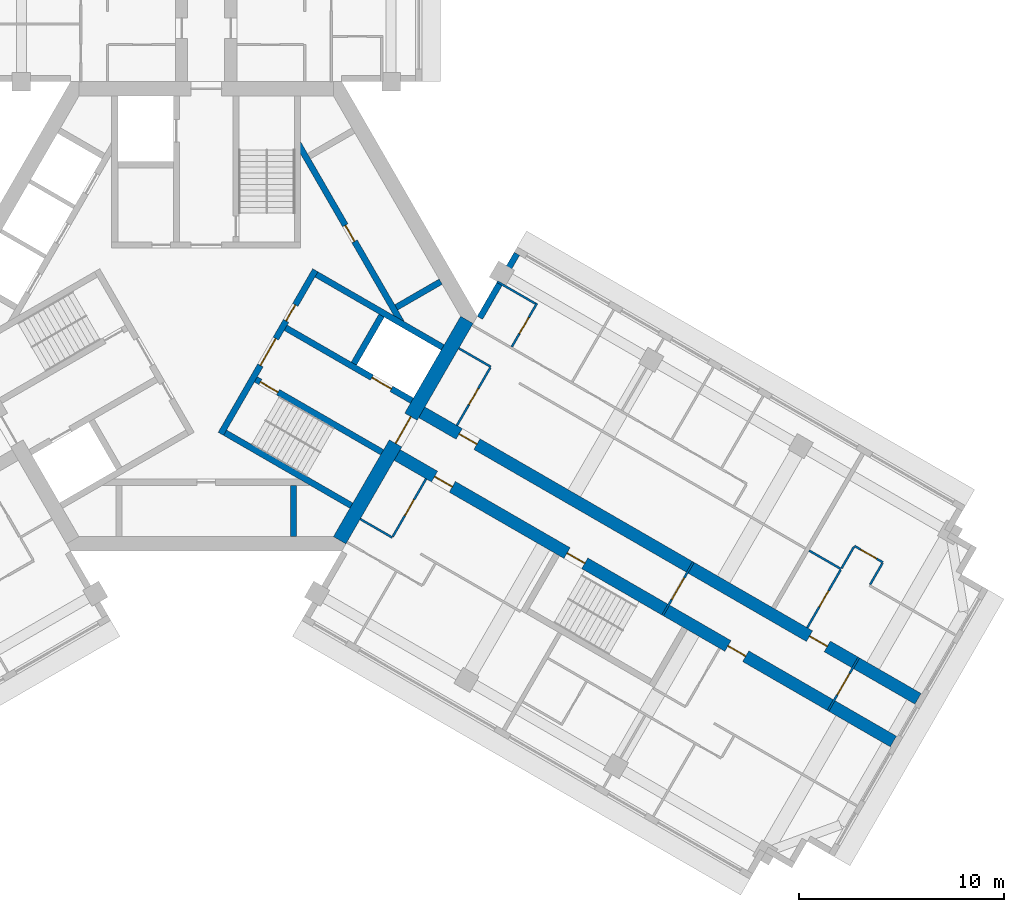
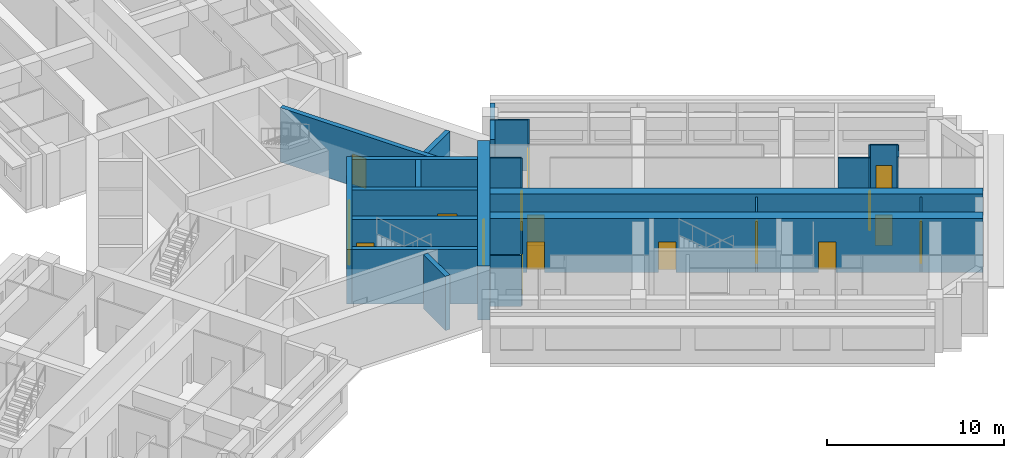
# One storey, part 5 of 10: 26 walls, 18 doors, 18 openings.
"""IFC4 building model written with IfcOpenShell, lengths in metres."""

from ifc_helpers import new_model, si_unit, direction, frame, frame_2d, origin, place, context, subcontext, project, spatial, rectangle, extrude, material, layer, layer_set, type_object, element, fill, save


model = new_model("IFC4")

# Units and contexts
model_context = context("Model", 3, precision=1e-05, world=origin(), true_north=direction((0.0, 1.0)))
body_context = subcontext(model_context, "Body", "Model", "MODEL_VIEW")
ifc_project = project(units=[si_unit("LENGTHUNIT", "METRE"), si_unit("AREAUNIT", "SQUARE_METRE"), si_unit("VOLUMEUNIT", "CUBIC_METRE"), si_unit("PLANEANGLEUNIT", "RADIAN"), si_unit("MASSUNIT", "GRAM", prefix="KILO")], contexts=[model_context])

# Site, building, storey
site_placement = place(None, origin())
site = spatial("IfcSite", under=ifc_project, at=site_placement, CompositionType="ELEMENT")
building_placement = place(site_placement, origin())
building = spatial("IfcBuilding", under=site, at=building_placement, Name="Impinga Residences", CompositionType="ELEMENT")
storey_placement = place(building_placement, frame((0.0, 0.0, 233.5)))
storey = spatial("IfcBuildingStorey", under=building, at=storey_placement, Name="L58", CompositionType="ELEMENT", Elevation=233.5)

# Wall, openings, doors
ifc_material_1 = material(Name="Concrete C60/75", Category="concrete")
ifc_layer_1 = layer(ifc_material_1, 0.60009765625)
ifc_layer_set_1 = layer_set([ifc_layer_1], Name="Concrete C60/75")
wall_type_1 = type_object("IfcWallType", Name="BW3 corridor buttress wall, L46 to L73 600", PredefinedType="SHEAR", material=ifc_layer_set_1)
wall_1_placement = place(storey_placement, frame((10.19677734375, -4.50146484375, 0.0), z_axis=(0.0, 0.0, 1.0), x_axis=(0.866026415941, -0.499998246889, 0.0)))
wall_1 = element("IfcWall", 1, at=wall_1_placement, inside=storey, type_object=wall_type_1, Name="Corridor wall BW3 EC L58", PredefinedType="SHEAR", context=body_context, shape_type="SweptSolid", body=[
    extrude(rectangle(XDim=28.25, YDim=0.60009765625, at=frame_2d((14.125, 0.0))), origin(), (0.0, 0.0, 1.0), 3.75),
])
opening_1_placement = place(wall_1_placement, frame((2.449951171875, 0.0, 0.0)))
opening_1 = element("IfcOpeningElement", 2, at=opening_1_placement, cuts=wall_1, Name="Opening D1", PredefinedType="OPENING", context=body_context, shape_type="SweptSolid", body=[
    extrude(rectangle(XDim=1.0, YDim=2.10009765625, at=frame_2d((0.5, 1.050048828125))), frame((0.0, 0.31005859375, 0.0), z_axis=(0.0, -1.0, 0.0), x_axis=(1.0, 0.0, 0.0)), (0.0, 0.0, 1.0), 0.6201171875),
])
opening_2_placement = place(wall_1_placement, frame((22.14990234375, 0.0, 0.0)))
opening_2 = element("IfcOpeningElement", 3, at=opening_2_placement, cuts=wall_1, Name="Opening D1", PredefinedType="OPENING", context=body_context, shape_type="SweptSolid", body=[
    extrude(rectangle(XDim=1.0, YDim=2.10009765625, at=frame_2d((0.5, 1.050048828125))), frame((0.0, 0.31005859375, 0.0), z_axis=(0.0, -1.0, 0.0), x_axis=(1.0, 0.0, 0.0)), (0.0, 0.0, 1.0), 0.6201171875),
])
ifc_material_2 = material(Name="Timber door set", Category="wood")
door_type_1 = type_object("IfcDoorType", Name="D1 apartment entrance door 1000x2100", OperationType="SINGLE_SWING_LEFT", PredefinedType="DOOR", material=ifc_material_2)
door_1_placement = place(opening_1_placement, origin())
door_1 = element("IfcDoor", 4, at=door_1_placement, inside=storey, type_object=door_type_1, Name="Apartment L58-EA1 entrance", OperationType="SINGLE_SWING_LEFT", OverallHeight=2.10009765625, OverallWidth=1.0, PredefinedType="DOOR", context=body_context, shape_type="SweptSolid", body=[
    extrude(rectangle(XDim=1.0, YDim=2.10009765625, at=frame_2d((0.5, 1.050048828125))), frame((0.0, 0.02490234375, 0.0), z_axis=(0.0, -1.0, 0.0), x_axis=(1.0, 0.0, 0.0)), (0.0, 0.0, 1.0), 0.050048828125),
])
fill(opening_1, door_1)
door_2_placement = place(opening_2_placement, origin())
door_2 = element("IfcDoor", 5, at=door_2_placement, inside=storey, type_object=door_type_1, Name="Apartment L58-EA2 entrance", OperationType="SINGLE_SWING_RIGHT", OverallHeight=2.10009765625, OverallWidth=1.0, PredefinedType="DOOR", context=body_context, shape_type="SweptSolid", body=[
    extrude(rectangle(XDim=1.0, YDim=2.10009765625, at=frame_2d((0.5, 1.050048828125))), frame((0.0, 0.02490234375, 0.0), z_axis=(0.0, -1.0, 0.0), x_axis=(1.0, 0.0, 0.0)), (0.0, 0.0, 1.0), 0.050048828125),
])
fill(opening_2, door_2)

wall_2_placement = place(storey_placement, frame((8.996826171875, -6.580078125, 0.0), z_axis=(0.0, 0.0, 1.0), x_axis=(0.866026415941, -0.499998246889, 0.0)))
wall_2 = element("IfcWall", 6, at=wall_2_placement, inside=storey, type_object=wall_type_1, Name="Corridor wall BW3 ED L58", PredefinedType="SHEAR", context=body_context, shape_type="SweptSolid", body=[
    extrude(rectangle(XDim=28.25, YDim=0.60009765625, at=frame_2d((14.125, 0.0))), origin(), (0.0, 0.0, 1.0), 3.75),
])
opening_3_placement = place(wall_2_placement, frame((9.89990234375, 0.0, 0.0)))
opening_3 = element("IfcOpeningElement", 7, at=opening_3_placement, cuts=wall_2, Name="Opening D5", PredefinedType="OPENING", context=body_context, shape_type="SweptSolid", body=[
    extrude(rectangle(XDim=1.0, YDim=2.10009765625, at=frame_2d((0.5, 1.050048828125))), frame((0.0, 0.31005859375, 0.0), z_axis=(0.0, -1.0, 0.0), x_axis=(1.0, 0.0, 0.0)), (0.0, 0.0, 1.0), 0.6201171875),
])
opening_4_placement = place(wall_2_placement, frame((2.449951171875, 0.0, 0.0)))
opening_4 = element("IfcOpeningElement", 8, at=opening_4_placement, cuts=wall_2, Name="Opening D1", PredefinedType="OPENING", context=body_context, shape_type="SweptSolid", body=[
    extrude(rectangle(XDim=1.0, YDim=2.10009765625, at=frame_2d((0.5, 1.050048828125))), frame((0.0, 0.31005859375, 0.0), z_axis=(0.0, -1.0, 0.0), x_axis=(1.0, 0.0, 0.0)), (0.0, 0.0, 1.0), 0.6201171875),
])
opening_5_placement = place(wall_2_placement, frame((18.949951171875, 0.0, 0.0)))
opening_5 = element("IfcOpeningElement", 9, at=opening_5_placement, cuts=wall_2, Name="Opening D1", PredefinedType="OPENING", context=body_context, shape_type="SweptSolid", body=[
    extrude(rectangle(XDim=1.0, YDim=2.10009765625, at=frame_2d((0.5, 1.050048828125))), frame((0.0, 0.31005859375, 0.0), z_axis=(0.0, -1.0, 0.0), x_axis=(1.0, 0.0, 0.0)), (0.0, 0.0, 1.0), 0.6201171875),
])
door_3_placement = place(opening_4_placement, origin())
door_3 = element("IfcDoor", 10, at=door_3_placement, inside=storey, type_object=door_type_1, Name="Apartment L58-EF1 entrance", OperationType="SINGLE_SWING_LEFT", OverallHeight=2.10009765625, OverallWidth=1.0, PredefinedType="DOOR", context=body_context, shape_type="SweptSolid", body=[
    extrude(rectangle(XDim=1.0, YDim=2.10009765625, at=frame_2d((0.5, 1.050048828125))), frame((0.0, 0.02490234375, 0.0), z_axis=(0.0, -1.0, 0.0), x_axis=(1.0, 0.0, 0.0)), (0.0, 0.0, 1.0), 0.050048828125),
])
fill(opening_4, door_3)
door_4_placement = place(opening_5_placement, origin())
door_4 = element("IfcDoor", 11, at=door_4_placement, inside=storey, type_object=door_type_1, Name="Apartment L58-EF2 entrance", OperationType="SINGLE_SWING_RIGHT", OverallHeight=2.10009765625, OverallWidth=1.0, PredefinedType="DOOR", context=body_context, shape_type="SweptSolid", body=[
    extrude(rectangle(XDim=1.0, YDim=2.10009765625, at=frame_2d((0.5, 1.050048828125))), frame((0.0, 0.02490234375, 0.0), z_axis=(0.0, -1.0, 0.0), x_axis=(1.0, 0.0, 0.0)), (0.0, 0.0, 1.0), 0.050048828125),
])
fill(opening_5, door_4)
door_type_2 = type_object("IfcDoorType", Name="D5 stair door 1000x2100", OperationType="SINGLE_SWING_LEFT", PredefinedType="DOOR", material=ifc_material_2)
door_5_placement = place(opening_3_placement, origin())
door_5 = element("IfcDoor", 12, at=door_5_placement, inside=storey, type_object=door_type_2, Name="Wing stair door E", OperationType="SINGLE_SWING_LEFT", OverallHeight=2.10009765625, OverallWidth=1.0, PredefinedType="DOOR", context=body_context, shape_type="SweptSolid", body=[
    extrude(rectangle(XDim=1.0, YDim=2.10009765625, at=frame_2d((0.5, 1.050048828125))), frame((0.0, 0.02490234375, 0.0), z_axis=(0.0, -1.0, 0.0), x_axis=(1.0, 0.0, 0.0)), (0.0, 0.0, 1.0), 0.050048828125),
])
fill(opening_3, door_5)

# Wall, opening, door
ifc_material_3 = material(Name="Concrete blockwork", Category="masonry")
ifc_layer_2 = layer(ifc_material_3, 0.10009765625)
ifc_layer_set_2 = layer_set([ifc_layer_2], Name="CP1 core room partition, blockwork 100")
wall_type_2 = type_object("IfcWallType", Name="CP1 core room partition, blockwork 100", PredefinedType="PARTITIONING", material=ifc_layer_set_2)
wall_3_placement = place(storey_placement, frame((31.781005859375, -16.61669921875, 0.0), z_axis=(0.0, 0.0, 1.0), x_axis=(-0.499990139034, -0.866031096941, 0.0)))
wall_3 = element("IfcWall", 13, at=wall_3_placement, inside=storey, type_object=wall_type_2, Name="Core room partition, blockwork L58:E:LNG", PredefinedType="PARTITIONING", context=body_context, shape_type="SweptSolid", body=[
    extrude(rectangle(XDim=3.0, YDim=0.10009765625, at=frame_2d((1.5, 0.0))), origin(), (0.0, 0.0, 1.0), 3.530029296875),
])
opening_6_placement = place(wall_3_placement, frame((0.89990234375, 0.0, 0.0)))
opening_6 = element("IfcOpeningElement", 14, at=opening_6_placement, cuts=wall_3, Name="Opening D3", PredefinedType="OPENING", context=body_context, shape_type="SweptSolid", body=[
    extrude(rectangle(XDim=1.199951171875, YDim=2.10009765625, at=frame_2d((0.60009765625, 1.050048828125))), frame((0.0, 0.06005859375, 0.0), z_axis=(0.0, -1.0, 0.0), x_axis=(1.0, 0.0, 0.0)), (0.0, 0.0, 1.0), 0.1201171875),
])
door_type_3 = type_object("IfcDoorType", Name="D3 room door, leaf and a half 1200x2100", OperationType="DOUBLE_SWING_LEFT", PredefinedType="DOOR", material=ifc_material_2)
door_6_placement = place(opening_6_placement, origin())
door_6 = element("IfcDoor", 15, at=door_6_placement, inside=storey, type_object=door_type_3, Name="Residents' lounge door E", OperationType="DOUBLE_SWING_LEFT", OverallHeight=2.10009765625, OverallWidth=1.199951171875, PredefinedType="DOOR", context=body_context, shape_type="SweptSolid", body=[
    extrude(rectangle(XDim=1.199951171875, YDim=2.10009765625, at=frame_2d((0.60009765625, 1.050048828125))), frame((0.0, 0.02490234375, 0.0), z_axis=(0.0, -1.0, 0.0), x_axis=(1.0, 0.0, 0.0)), (0.0, 0.0, 1.0), 0.050048828125),
])
fill(opening_6, door_6)

wall_4_placement = place(storey_placement, frame((23.724853515625, -11.965576171875, 0.0), z_axis=(0.0, 0.0, 1.0), x_axis=(-0.50002537861, -0.866010750942, 0.0)))
wall_4 = element("IfcWall", 16, at=wall_4_placement, inside=storey, type_object=wall_type_2, Name="Core room partition, blockwork L58:E:SCR", PredefinedType="PARTITIONING", context=body_context, shape_type="SweptSolid", body=[
    extrude(rectangle(XDim=2.999755859375, YDim=0.10009765625, at=frame_2d((1.5, 0.0))), origin(), (0.0, 0.0, 1.0), 3.530029296875),
])
opening_7_placement = place(wall_4_placement, frame((0.89990234375, 0.0, 0.0)))
opening_7 = element("IfcOpeningElement", 17, at=opening_7_placement, cuts=wall_4, Name="Opening D3", PredefinedType="OPENING", context=body_context, shape_type="SweptSolid", body=[
    extrude(rectangle(XDim=1.199951171875, YDim=2.10009765625, at=frame_2d((0.60009765625, 1.050048828125))), frame((0.0, 0.06005859375, 0.0), z_axis=(0.0, -1.0, 0.0), x_axis=(1.0, 0.0, 0.0)), (0.0, 0.0, 1.0), 0.1201171875),
])
door_7_placement = place(opening_7_placement, origin())
door_7 = element("IfcDoor", 18, at=door_7_placement, inside=storey, type_object=door_type_3, Name="Corridor smoke door E", OperationType="DOUBLE_SWING_LEFT", OverallHeight=2.10009765625, OverallWidth=1.199951171875, PredefinedType="DOOR", context=body_context, shape_type="SweptSolid", body=[
    extrude(rectangle(XDim=1.199951171875, YDim=2.10009765625, at=frame_2d((0.60009765625, 1.050048828125))), frame((0.0, 0.02490234375, 0.0), z_axis=(0.0, -1.0, 0.0), x_axis=(1.0, 0.0, 0.0)), (0.0, 0.0, 1.0), 0.050048828125),
])
fill(opening_7, door_7)

# Walls
ifc_material_4 = material(Name="Terracotta rainscreen on blockwork", Category="masonry")
ifc_layer_3 = layer(ifc_material_4, 0.300048828125)
ifc_layer_set_3 = layer_set([ifc_layer_3], Name="EW1 external wall, terracotta rainscreen on blockwork 300")
wall_type_3 = type_object("IfcWallType", Name="EW1 external wall, terracotta rainscreen on blockwork 300", PredefinedType="SOLIDWALL", material=ifc_layer_set_3)
wall_5_placement = place(storey_placement, frame((13.329833984375, -0.074951171875, 0.0), z_axis=(0.0, 0.0, 1.0), x_axis=(0.500012057535, 0.866018442252, 0.0)))
element("IfcWall", 19, at=wall_5_placement, inside=storey, type_object=wall_type_3, Name="External wall EW1 L58", PredefinedType="SOLIDWALL", context=body_context, shape_type="SweptSolid", body=[
    extrude(rectangle(XDim=3.60009765625, YDim=0.300048828125, at=frame_2d((1.800048828125, 0.0))), origin(), (0.0, 0.0, 1.0), 3.530029296875),
])
ifc_material_5 = material(Name="Gypsum board on steel studs", Category="steel")
ifc_layer_4 = layer(ifc_material_5, 0.10009765625)
ifc_layer_set_4 = layer_set([ifc_layer_4], Name="Gypsum board on steel studs")
wall_type_4 = type_object("IfcWallType", Name="IP1 partition 100", PredefinedType="PARTITIONING", material=ifc_layer_set_4)
wall_6_placement = place(storey_placement, frame((12.300048828125, -1.558837890625, 0.0), z_axis=(0.0, 0.0, 1.0), x_axis=(0.866047807691, -0.499961193289, 0.0)))
element("IfcWall", 20, at=wall_6_placement, inside=storey, type_object=wall_type_4, Name="Partition L58-EA1:DIV0", PredefinedType="PARTITIONING", context=body_context, shape_type="SweptSolid", body=[
    extrude(rectangle(XDim=1.800048828125, YDim=0.10009765625, at=frame_2d((0.89990234375, 0.0))), origin(), (0.0, 0.0, 1.0), 3.530029296875),
])

# Wall, opening, door
wall_7_placement = place(storey_placement, frame((12.208740234375, -5.316650390625, 0.0), z_axis=(0.0, 0.0, 1.0), x_axis=(0.500017246033, 0.866015446554, 0.0)))
wall_7 = element("IfcWall", 21, at=wall_7_placement, inside=storey, type_object=wall_type_4, Name="Partition L58-EA1:IB1", PredefinedType="PARTITIONING", context=body_context, shape_type="SweptSolid", body=[
    extrude(rectangle(XDim=3.25, YDim=0.10009765625, at=frame_2d((1.625, 0.0))), origin(), (0.0, 0.0, 1.0), 3.530029296875),
])
opening_8_placement = place(wall_7_placement, frame((1.175048828125, 0.0, 0.0)))
opening_8 = element("IfcOpeningElement", 22, at=opening_8_placement, cuts=wall_7, Name="Opening D2", PredefinedType="OPENING", context=body_context, shape_type="SweptSolid", body=[
    extrude(rectangle(XDim=0.89990234375, YDim=2.10009765625, at=frame_2d((0.449951171875, 1.050048828125))), frame((0.0, 0.06005859375, 0.0), z_axis=(0.0, -1.0, 0.0), x_axis=(1.0, 0.0, 0.0)), (0.0, 0.0, 1.0), 0.1201171875),
])
door_type_4 = type_object("IfcDoorType", Name="D2 internal door 900x2100", OperationType="SINGLE_SWING_LEFT", PredefinedType="DOOR", material=ifc_material_2)
door_8_placement = place(opening_8_placement, origin())
door_8 = element("IfcDoor", 23, at=door_8_placement, inside=storey, type_object=door_type_4, Name="Apartment L58-EA1 bathroom door", OperationType="SINGLE_SWING_LEFT", OverallHeight=2.10009765625, OverallWidth=0.89990234375, PredefinedType="DOOR", context=body_context, shape_type="SweptSolid", body=[
    extrude(rectangle(XDim=0.89990234375, YDim=2.10009765625, at=frame_2d((0.449951171875, 1.050048828125))), frame((0.0, 0.02490234375, 0.0), z_axis=(0.0, -1.0, 0.0), x_axis=(1.0, 0.0, 0.0)), (0.0, 0.0, 1.0), 0.050048828125),
])
fill(opening_8, door_8)

wall_8_placement = place(storey_placement, frame((14.88037109375, -1.48974609375, 0.0), z_axis=(0.0, 0.0, 1.0), x_axis=(0.499943856944, 0.866057815567, 0.0)))
wall_8 = element("IfcWall", 24, at=wall_8_placement, inside=storey, type_object=wall_type_4, Name="Partition L58-EA1:EN1", PredefinedType="PARTITIONING", context=body_context, shape_type="SweptSolid", body=[
    extrude(rectangle(XDim=2.449951171875, YDim=0.10009765625, at=frame_2d((1.22509765625, 0.0))), origin(), (0.0, 0.0, 1.0), 3.530029296875),
])
opening_9_placement = place(wall_8_placement, frame((0.75, 0.0, 0.0)))
opening_9 = element("IfcOpeningElement", 25, at=opening_9_placement, cuts=wall_8, Name="Opening D2", PredefinedType="OPENING", context=body_context, shape_type="SweptSolid", body=[
    extrude(rectangle(XDim=0.89990234375, YDim=2.10009765625, at=frame_2d((0.449951171875, 1.050048828125))), frame((0.0, 0.06005859375, 0.0), z_axis=(0.0, -1.0, 0.0), x_axis=(1.0, 0.0, 0.0)), (0.0, 0.0, 1.0), 0.1201171875),
])
door_9_placement = place(opening_9_placement, origin())
door_9 = element("IfcDoor", 26, at=door_9_placement, inside=storey, type_object=door_type_4, Name="Apartment L58-EA1 en-suite door", OperationType="SINGLE_SWING_LEFT", OverallHeight=2.10009765625, OverallWidth=0.89990234375, PredefinedType="DOOR", context=body_context, shape_type="SweptSolid", body=[
    extrude(rectangle(XDim=0.89990234375, YDim=2.10009765625, at=frame_2d((0.449951171875, 1.050048828125))), frame((0.0, 0.02490234375, 0.0), z_axis=(0.0, -1.0, 0.0), x_axis=(1.0, 0.0, 0.0)), (0.0, 0.0, 1.0), 0.050048828125),
])
fill(opening_9, door_9)

# Walls
wall_9_placement = place(storey_placement, frame((14.175048828125, 1.688720703125, 0.0), z_axis=(0.0, 0.0, 1.0), x_axis=(0.866019166195, -0.500010803666, 0.0)))
element("IfcWall", 27, at=wall_9_placement, inside=storey, type_object=wall_type_4, Name="Partition L58-EA1:EN2", PredefinedType="PARTITIONING", context=body_context, shape_type="SweptSolid", body=[
    extrude(rectangle(XDim=2.14990234375, YDim=0.10009765625, at=frame_2d((1.074951171875, 0.0))), origin(), (0.0, 0.0, 1.0), 3.530029296875),
])
wall_10_placement = place(storey_placement, frame((29.360595703125, -11.408935546875, 0.0), z_axis=(0.0, 0.0, 1.0), x_axis=(0.866047807691, -0.499961193289, 0.0)))
element("IfcWall", 28, at=wall_10_placement, inside=storey, type_object=wall_type_4, Name="Partition L58-EA2:DIV0", PredefinedType="PARTITIONING", context=body_context, shape_type="SweptSolid", body=[
    extrude(rectangle(XDim=1.800048828125, YDim=0.10009765625, at=frame_2d((0.89990234375, 0.0))), origin(), (0.0, 0.0, 1.0), 3.530029296875),
])

# Wall, opening, door
wall_11_placement = place(storey_placement, frame((31.569580078125, -11.18310546875, 0.0), z_axis=(0.0, 0.0, 1.0), x_axis=(0.866055983265, -0.499947031044, 0.0)))
wall_11 = element("IfcWall", 29, at=wall_11_placement, inside=storey, type_object=wall_type_4, Name="Partition L58-EA2:STRIP", PredefinedType="PARTITIONING", context=body_context, shape_type="SweptSolid", body=[
    extrude(rectangle(XDim=1.599853515625, YDim=0.10009765625, at=frame_2d((0.7998046875, 0.0))), origin(), (0.0, 0.0, 1.0), 3.530029296875),
])
opening_10_placement = place(wall_11_placement, frame((0.35009765625, 0.0, 0.0)))
opening_10 = element("IfcOpeningElement", 30, at=opening_10_placement, cuts=wall_11, Name="Opening D2", PredefinedType="OPENING", context=body_context, shape_type="SweptSolid", body=[
    extrude(rectangle(XDim=0.89990234375, YDim=2.10009765625, at=frame_2d((0.449951171875, 1.050048828125))), frame((0.0, 0.06005859375, 0.0), z_axis=(0.0, -1.0, 0.0), x_axis=(1.0, 0.0, 0.0)), (0.0, 0.0, 1.0), 0.1201171875),
])
door_10_placement = place(opening_10_placement, origin())
door_10 = element("IfcDoor", 31, at=door_10_placement, inside=storey, type_object=door_type_4, Name="Apartment L58-EA2 room door", OperationType="SINGLE_SWING_LEFT", OverallHeight=2.10009765625, OverallWidth=0.89990234375, PredefinedType="DOOR", context=body_context, shape_type="SweptSolid", body=[
    extrude(rectangle(XDim=0.89990234375, YDim=2.10009765625, at=frame_2d((0.449951171875, 1.050048828125))), frame((0.0, 0.02490234375, 0.0), z_axis=(0.0, -1.0, 0.0), x_axis=(1.0, 0.0, 0.0)), (0.0, 0.0, 1.0), 0.050048828125),
])
fill(opening_10, door_10)

# Walls
for number, where, z_axis, x_axis, name in (
    (32, (30.944580078125, -12.265625, 0.0), (0.0, 0.0, 1.0), (0.499880961361, 0.866094119867, 0.0), "Partition L58-EA2:SE0"),
    (33, (32.330078125, -13.0654296875, 0.0), (0.0, 0.0, 1.0), (0.50012165622, 0.865955154139, 0.0), "Partition L58-EA2:SE1"),
):
    element("IfcWall", number, at=place(storey_placement, frame(where, z_axis=z_axis, x_axis=x_axis)), inside=storey, type_object=wall_type_4, Name=name, PredefinedType="PARTITIONING", context=body_context, shape_type="SweptSolid", body=[
        extrude(rectangle(XDim=1.199951171875, YDim=0.10009765625, at=frame_2d((0.60009765625, 0.0))), origin(), (0.0, 0.0, 1.0), 3.530029296875),
    ])

# Wall, opening, door
wall_12_placement = place(storey_placement, frame((29.26953125, -15.166748046875, 0.0), z_axis=(0.0, 0.0, 1.0), x_axis=(0.499984717929, 0.866034226713, 0.0)))
wall_12 = element("IfcWall", 34, at=wall_12_placement, inside=storey, type_object=wall_type_4, Name="Partition L58-EA2:IB1", PredefinedType="PARTITIONING", context=body_context, shape_type="SweptSolid", body=[
    extrude(rectangle(XDim=3.25, YDim=0.10009765625, at=frame_2d((1.625, 0.0))), origin(), (0.0, 0.0, 1.0), 3.530029296875),
])
opening_11_placement = place(wall_12_placement, frame((1.175048828125, 0.0, 0.0)))
opening_11 = element("IfcOpeningElement", 35, at=opening_11_placement, cuts=wall_12, Name="Opening D2", PredefinedType="OPENING", context=body_context, shape_type="SweptSolid", body=[
    extrude(rectangle(XDim=0.89990234375, YDim=2.10009765625, at=frame_2d((0.449951171875, 1.050048828125))), frame((0.0, 0.06005859375, 0.0), z_axis=(0.0, -1.0, 0.0), x_axis=(1.0, 0.0, 0.0)), (0.0, 0.0, 1.0), 0.1201171875),
])
door_11_placement = place(opening_11_placement, origin())
door_11 = element("IfcDoor", 36, at=door_11_placement, inside=storey, type_object=door_type_4, Name="Apartment L58-EA2 bathroom door", OperationType="SINGLE_SWING_LEFT", OverallHeight=2.10009765625, OverallWidth=0.89990234375, PredefinedType="DOOR", context=body_context, shape_type="SweptSolid", body=[
    extrude(rectangle(XDim=0.89990234375, YDim=2.10009765625, at=frame_2d((0.449951171875, 1.050048828125))), frame((0.0, 0.02490234375, 0.0), z_axis=(0.0, -1.0, 0.0), x_axis=(1.0, 0.0, 0.0)), (0.0, 0.0, 1.0), 0.050048828125),
])
fill(opening_11, door_11)

# Wall
wall_13_placement = place(storey_placement, frame((7.5, -9.872802734375, 0.0), z_axis=(0.0, 0.0, 1.0), x_axis=(0.866047807691, -0.499961193289, 0.0)))
element("IfcWall", 37, at=wall_13_placement, inside=storey, type_object=wall_type_4, Name="Partition L58-EF1:DIV0", PredefinedType="PARTITIONING", context=body_context, shape_type="SweptSolid", body=[
    extrude(rectangle(XDim=1.800048828125, YDim=0.10009765625, at=frame_2d((0.89990234375, 0.0))), origin(), (0.0, 0.0, 1.0), 3.530029296875),
])

# Wall, opening, door
wall_14_placement = place(storey_placement, frame((10.708740234375, -7.914794921875, 0.0), z_axis=(0.0, 0.0, 1.0), x_axis=(-0.499984717929, -0.866034226713, 0.0)))
wall_14 = element("IfcWall", 38, at=wall_14_placement, inside=storey, type_object=wall_type_4, Name="Partition L58-EF1:IB1", PredefinedType="PARTITIONING", context=body_context, shape_type="SweptSolid", body=[
    extrude(rectangle(XDim=3.25, YDim=0.10009765625, at=frame_2d((1.625, 0.0))), origin(), (0.0, 0.0, 1.0), 3.530029296875),
])
opening_12_placement = place(wall_14_placement, frame((1.175048828125, 0.0, 0.0)))
opening_12 = element("IfcOpeningElement", 39, at=opening_12_placement, cuts=wall_14, Name="Opening D2", PredefinedType="OPENING", context=body_context, shape_type="SweptSolid", body=[
    extrude(rectangle(XDim=0.89990234375, YDim=2.10009765625, at=frame_2d((0.449951171875, 1.050048828125))), frame((0.0, 0.06005859375, 0.0), z_axis=(0.0, -1.0, 0.0), x_axis=(1.0, 0.0, 0.0)), (0.0, 0.0, 1.0), 0.1201171875),
])
door_12_placement = place(opening_12_placement, origin())
door_12 = element("IfcDoor", 40, at=door_12_placement, inside=storey, type_object=door_type_4, Name="Apartment L58-EF1 bathroom door", OperationType="SINGLE_SWING_LEFT", OverallHeight=2.10009765625, OverallWidth=0.89990234375, PredefinedType="DOOR", context=body_context, shape_type="SweptSolid", body=[
    extrude(rectangle(XDim=0.89990234375, YDim=2.10009765625, at=frame_2d((0.449951171875, 1.050048828125))), frame((0.0, 0.02490234375, 0.0), z_axis=(0.0, -1.0, 0.0), x_axis=(1.0, 0.0, 0.0)), (0.0, 0.0, 1.0), 0.050048828125),
])
fill(opening_12, door_12)

ifc_layer_5 = layer(ifc_material_1, 0.699951171875)
ifc_layer_set_5 = layer_set([ifc_layer_5], Name="Concrete C60/75")
wall_type_5 = type_object("IfcWallType", Name="SW3 core wall 700", PredefinedType="SHEAR", material=ifc_layer_set_5)
wall_15_placement = place(storey_placement, frame((12.69482421875, -0.175048828125, 0.0), z_axis=(0.0, 0.0, 1.0), x_axis=(-0.499999875397, -0.866025475724, 0.0)))
wall_15 = element("IfcWall", 41, at=wall_15_placement, inside=storey, type_object=wall_type_5, Name="Core wall SW3 E:FACE L58", PredefinedType="SHEAR", context=body_context, shape_type="SweptSolid", body=[
    extrude(rectangle(XDim=12.3916015625, YDim=0.699951171875, at=frame_2d((6.19580078125, 0.0))), origin(), (0.0, 0.0, 1.0), 3.75),
])
opening_13_placement = place(wall_15_placement, frame((5.44580078125, 0.0, 0.0)))
opening_13 = element("IfcOpeningElement", 42, at=opening_13_placement, cuts=wall_15, Name="Opening D4", PredefinedType="OPENING", context=body_context, shape_type="SweptSolid", body=[
    extrude(rectangle(XDim=1.5, YDim=2.10009765625, at=frame_2d((0.75, 1.050048828125))), frame((0.0, 0.35986328125, 0.0), z_axis=(0.0, -1.0, 0.0), x_axis=(1.0, 0.0, 0.0)), (0.0, 0.0, 1.0), 0.719970703125),
])
door_type_5 = type_object("IfcDoorType", Name="D4 lobby door pair 1500x2100", OperationType="DOUBLE_DOOR_DOUBLE_SWING", PredefinedType="DOOR", material=ifc_material_2)
door_13_placement = place(opening_13_placement, origin())
door_13 = element("IfcDoor", 43, at=door_13_placement, inside=storey, type_object=door_type_5, Name="Lobby door E", OperationType="DOUBLE_DOOR_DOUBLE_SWING", OverallHeight=2.10009765625, OverallWidth=1.5, PredefinedType="DOOR", context=body_context, shape_type="SweptSolid", body=[
    extrude(rectangle(XDim=1.5, YDim=2.10009765625, at=frame_2d((0.75, 1.050048828125))), frame((0.0, 0.02490234375, 0.0), z_axis=(0.0, -1.0, 0.0), x_axis=(1.0, 0.0, 0.0)), (0.0, 0.0, 1.0), 0.050048828125),
])
fill(opening_13, door_13)

# Wall, openings, doors
ifc_material_6 = material(Name="Concrete C70/85", Category="concrete")
ifc_layer_6 = layer(ifc_material_6, 0.300048828125)
ifc_layer_set_6 = layer_set([ifc_layer_6], Name="Concrete C70/85")
wall_type_6 = type_object("IfcWallType", Name="SW5 core inner wall, stairs, shafts and lobbies 300", PredefinedType="SHEAR", material=ifc_layer_set_6)
wall_16_placement = place(storey_placement, frame((5.313720703125, 2.24365234375, 0.0), z_axis=(0.0, 0.0, 1.0), x_axis=(-0.499995050369, -0.866028261437, 0.0)))
wall_16 = element("IfcWall", 44, at=wall_16_placement, inside=storey, type_object=wall_type_6, Name="Core wall SW5 E:ZONE L58", PredefinedType="SHEAR", context=body_context, shape_type="SweptSolid", body=[
    extrude(rectangle(XDim=9.19970703125, YDim=0.300048828125, at=frame_2d((4.599853515625, 0.0))), origin(), (0.0, 0.0, 1.0), 3.75),
])
opening_14_placement = place(wall_16_placement, frame((3.85009765625, 0.0, 0.0)))
opening_14 = element("IfcOpeningElement", 45, at=opening_14_placement, cuts=wall_16, Name="Opening D4", PredefinedType="OPENING", context=body_context, shape_type="SweptSolid", body=[
    extrude(rectangle(XDim=1.5, YDim=2.10009765625, at=frame_2d((0.75, 1.050048828125))), frame((0.0, 0.159912109375, 0.0), z_axis=(0.0, -1.0, 0.0), x_axis=(1.0, 0.0, 0.0)), (0.0, 0.0, 1.0), 0.320068359375),
])
opening_15_placement = place(wall_16_placement, frame((1.949951171875, 0.0, 0.0)))
opening_15 = element("IfcOpeningElement", 46, at=opening_15_placement, cuts=wall_16, Name="Opening D6", PredefinedType="OPENING", context=body_context, shape_type="SweptSolid", body=[
    extrude(rectangle(XDim=0.89990234375, YDim=2.10009765625, at=frame_2d((0.449951171875, 1.050048828125))), frame((0.0, 0.159912109375, 0.0), z_axis=(0.0, -1.0, 0.0), x_axis=(1.0, 0.0, 0.0)), (0.0, 0.0, 1.0), 0.320068359375),
])
door_14_placement = place(opening_14_placement, origin())
door_14 = element("IfcDoor", 47, at=door_14_placement, inside=storey, type_object=door_type_5, Name="Firefighting lobby door E", OperationType="DOUBLE_DOOR_DOUBLE_SWING", OverallHeight=2.10009765625, OverallWidth=1.5, PredefinedType="DOOR", context=body_context, shape_type="SweptSolid", body=[
    extrude(rectangle(XDim=1.5, YDim=2.10009765625, at=frame_2d((0.75, 1.050048828125))), frame((0.0, 0.02490234375, 0.0), z_axis=(0.0, -1.0, 0.0), x_axis=(1.0, 0.0, 0.0)), (0.0, 0.0, 1.0), 0.050048828125),
])
fill(opening_14, door_14)
door_type_6 = type_object("IfcDoorType", Name="D6 riser and store door 900x2100", OperationType="SINGLE_SWING_LEFT", PredefinedType="DOOR", material=ifc_material_2)
door_15_placement = place(opening_15_placement, origin())
door_15 = element("IfcDoor", 48, at=door_15_placement, inside=storey, type_object=door_type_6, Name="Riser door E", OperationType="SINGLE_SWING_LEFT", OverallHeight=2.10009765625, OverallWidth=0.89990234375, PredefinedType="DOOR", context=body_context, shape_type="SweptSolid", body=[
    extrude(rectangle(XDim=0.89990234375, YDim=2.10009765625, at=frame_2d((0.449951171875, 1.050048828125))), frame((0.0, 0.02490234375, 0.0), z_axis=(0.0, -1.0, 0.0), x_axis=(1.0, 0.0, 0.0)), (0.0, 0.0, 1.0), 0.050048828125),
])
fill(opening_15, door_15)

# Wall, opening, door
wall_17_placement = place(storey_placement, frame((2.418701171875, -3.07080078125, 0.0), z_axis=(0.0, 0.0, 1.0), x_axis=(0.866025859768, -0.499999210213, 0.0)))
wall_17 = element("IfcWall", 49, at=wall_17_placement, inside=storey, type_object=wall_type_6, Name="Core wall SW5 E:ST-IN L58", PredefinedType="SHEAR", context=body_context, shape_type="SweptSolid", body=[
    extrude(rectangle(XDim=7.1015625, YDim=0.300048828125, at=frame_2d((3.55078125, 0.0))), origin(), (0.0, 0.0, 1.0), 3.75),
])
opening_16_placement = place(wall_17_placement, frame((0.25, 0.0, 0.0)))
opening_16 = element("IfcOpeningElement", 50, at=opening_16_placement, cuts=wall_17, Name="Opening D5", PredefinedType="OPENING", context=body_context, shape_type="SweptSolid", body=[
    extrude(rectangle(XDim=1.0, YDim=2.10009765625, at=frame_2d((0.5, 1.050048828125))), frame((0.0, 0.159912109375, 0.0), z_axis=(0.0, -1.0, 0.0), x_axis=(1.0, 0.0, 0.0)), (0.0, 0.0, 1.0), 0.320068359375),
])
door_16_placement = place(opening_16_placement, origin())
door_16 = element("IfcDoor", 51, at=door_16_placement, inside=storey, type_object=door_type_2, Name="Stair door E", OperationType="SINGLE_SWING_LEFT", OverallHeight=2.10009765625, OverallWidth=1.0, PredefinedType="DOOR", context=body_context, shape_type="SweptSolid", body=[
    extrude(rectangle(XDim=1.0, YDim=2.10009765625, at=frame_2d((0.5, 1.050048828125))), frame((0.0, 0.02490234375, 0.0), z_axis=(0.0, -1.0, 0.0), x_axis=(1.0, 0.0, 0.0)), (0.0, 0.0, 1.0), 0.050048828125),
])
fill(opening_16, door_16)

# Wall
wall_18_placement = place(storey_placement, frame((0.918701171875, -5.668701171875, 0.0), z_axis=(0.0, 0.0, 1.0), x_axis=(0.866025859768, -0.499999210213, 0.0)))
element("IfcWall", 52, at=wall_18_placement, inside=storey, type_object=wall_type_6, Name="Core wall SW5 E:ST-OUT L58", PredefinedType="SHEAR", context=body_context, shape_type="SweptSolid", body=[
    extrude(rectangle(XDim=7.1015625, YDim=0.300048828125, at=frame_2d((3.55078125, 0.0))), origin(), (0.0, 0.0, 1.0), 3.75),
])

# Wall, opening, door
wall_19_placement = place(storey_placement, frame((3.86865234375, -0.559326171875, 0.0), z_axis=(0.0, 0.0, 1.0), x_axis=(0.866025859768, -0.499999210213, 0.0)))
wall_19 = element("IfcWall", 53, at=wall_19_placement, inside=storey, type_object=wall_type_6, Name="Core wall SW5 E:FF-IN L58", PredefinedType="SHEAR", context=body_context, shape_type="SweptSolid", body=[
    extrude(rectangle(XDim=7.1015625, YDim=0.300048828125, at=frame_2d((3.55078125, 0.0))), origin(), (0.0, 0.0, 1.0), 3.75),
])
opening_17_placement = place(wall_19_placement, frame((4.85009765625, 0.0, 0.0)))
opening_17 = element("IfcOpeningElement", 54, at=opening_17_placement, cuts=wall_19, Name="Opening LD2", PredefinedType="OPENING", context=body_context, shape_type="SweptSolid", body=[
    extrude(rectangle(XDim=1.10009765625, YDim=2.10009765625, at=frame_2d((0.550048828125, 1.050048828125))), frame((0.0, 0.159912109375, 0.0), z_axis=(0.0, -1.0, 0.0), x_axis=(1.0, 0.0, 0.0)), (0.0, 0.0, 1.0), 0.320068359375),
])
ifc_material_7 = material(Name="Steel lift landing door", Category="steel")
door_type_7 = type_object("IfcDoorType", Name="LD2 firefighting lift landing door 1100x2100", OperationType="DOUBLE_DOOR_SLIDING", PredefinedType="DOOR", material=ifc_material_7)
door_17_placement = place(opening_17_placement, origin())
door_17 = element("IfcDoor", 55, at=door_17_placement, inside=storey, type_object=door_type_7, Name="Firefighting lift landing door F3", OperationType="DOUBLE_DOOR_SLIDING", OverallHeight=2.10009765625, OverallWidth=1.10009765625, PredefinedType="DOOR", context=body_context, shape_type="SweptSolid", body=[
    extrude(rectangle(XDim=1.10009765625, YDim=2.10009765625, at=frame_2d((0.550048828125, 1.050048828125))), frame((0.0, 0.02490234375, 0.0), z_axis=(0.0, -1.0, 0.0), x_axis=(1.0, 0.0, 0.0)), (0.0, 0.0, 1.0), 0.050048828125),
])
fill(opening_17, door_17)

# Walls
wall_20_placement = place(storey_placement, frame((5.36865234375, 2.038818359375, 0.0), z_axis=(0.0, 0.0, 1.0), x_axis=(0.866025859768, -0.499999210213, 0.0)))
element("IfcWall", 56, at=wall_20_placement, inside=storey, type_object=wall_type_6, Name="Core wall SW5 E:FF-OUT L58", PredefinedType="SHEAR", context=body_context, shape_type="SweptSolid", body=[
    extrude(rectangle(XDim=7.1015625, YDim=0.300048828125, at=frame_2d((3.55078125, 0.0))), origin(), (0.0, 0.0, 1.0), 3.75),
])
wall_21_placement = place(storey_placement, frame((8.541259765625, 0.033935546875, 0.0), z_axis=(0.0, 0.0, 1.0), x_axis=(-0.50000943426, -0.866019956843, 0.0)))
element("IfcWall", 57, at=wall_21_placement, inside=storey, type_object=wall_type_6, Name="Core wall SW5 E:FF-RS L58", PredefinedType="SHEAR", context=body_context, shape_type="SweptSolid", body=[
    extrude(rectangle(XDim=2.7001953125, YDim=0.300048828125, at=frame_2d((1.35009765625, 0.0))), origin(), (0.0, 0.0, 1.0), 3.75),
])
wall_22_placement = place(storey_placement, frame((4.25, -8.2314453125, 0.0), z_axis=(0.0, 0.0, 1.0), x_axis=(0.0, -1.0, 0.0)))
element("IfcWall", 58, at=wall_22_placement, inside=storey, type_object=wall_type_6, Name="Core wall SW5 N:BANK-L L58", PredefinedType="SHEAR", context=body_context, shape_type="SweptSolid", body=[
    extrude(rectangle(XDim=2.5, YDim=0.300048828125, at=frame_2d((1.25, 0.0))), origin(), (0.0, 0.0, 1.0), 3.75),
])

# Wall, opening, door
wall_23_placement = place(storey_placement, frame((4.449951171875, 8.455322265625, 0.0), z_axis=(0.0, 0.0, 1.0), x_axis=(0.500002290144, -0.866024081565, 0.0)))
wall_23 = element("IfcWall", 59, at=wall_23_placement, inside=storey, type_object=wall_type_6, Name="Core wall SW5 W:BANK-FRONT L58", PredefinedType="SHEAR", context=body_context, shape_type="SweptSolid", body=[
    extrude(rectangle(XDim=10.1953125, YDim=0.300048828125, at=frame_2d((5.09765625, 0.0))), origin(), (0.0, 0.0, 1.0), 3.75),
])
opening_18_placement = place(wall_23_placement, frame((4.647705078125, 0.0, 0.0)))
opening_18 = element("IfcOpeningElement", 60, at=opening_18_placement, cuts=wall_23, Name="Opening D6", PredefinedType="OPENING", context=body_context, shape_type="SweptSolid", body=[
    extrude(rectangle(XDim=0.89990234375, YDim=2.10009765625, at=frame_2d((0.449951171875, 1.050048828125))), frame((0.0, 0.159912109375, 0.0), z_axis=(0.0, -1.0, 0.0), x_axis=(1.0, 0.0, 0.0)), (0.0, 0.0, 1.0), 0.320068359375),
])
door_18_placement = place(opening_18_placement, origin())
door_18 = element("IfcDoor", 61, at=door_18_placement, inside=storey, type_object=door_type_6, Name="IT and communications room door", OperationType="SINGLE_SWING_RIGHT", OverallHeight=2.10009765625, OverallWidth=0.89990234375, PredefinedType="DOOR", context=body_context, shape_type="SweptSolid", body=[
    extrude(rectangle(XDim=0.89990234375, YDim=2.10009765625, at=frame_2d((0.449951171875, 1.050048828125))), frame((0.0, 0.02490234375, 0.0), z_axis=(0.0, -1.0, 0.0), x_axis=(1.0, 0.0, 0.0)), (0.0, 0.0, 1.0), 0.050048828125),
])
fill(opening_18, door_18)

# Wall
wall_24_placement = place(storey_placement, frame((9.253662109375, 0.43505859375, 0.0), z_axis=(0.0, 0.0, 1.0), x_axis=(0.866022959057, 0.500004234368, 0.0)))
element("IfcWall", 62, at=wall_24_placement, inside=storey, type_object=wall_type_6, Name="Core wall SW5 W:BANK-R L58", PredefinedType="SHEAR", context=body_context, shape_type="SweptSolid", body=[
    extrude(rectangle(XDim=2.5, YDim=0.300048828125, at=frame_2d((1.25, 0.0))), origin(), (0.0, 0.0, 1.0), 3.75),
])

save(model, "model.ifc")
